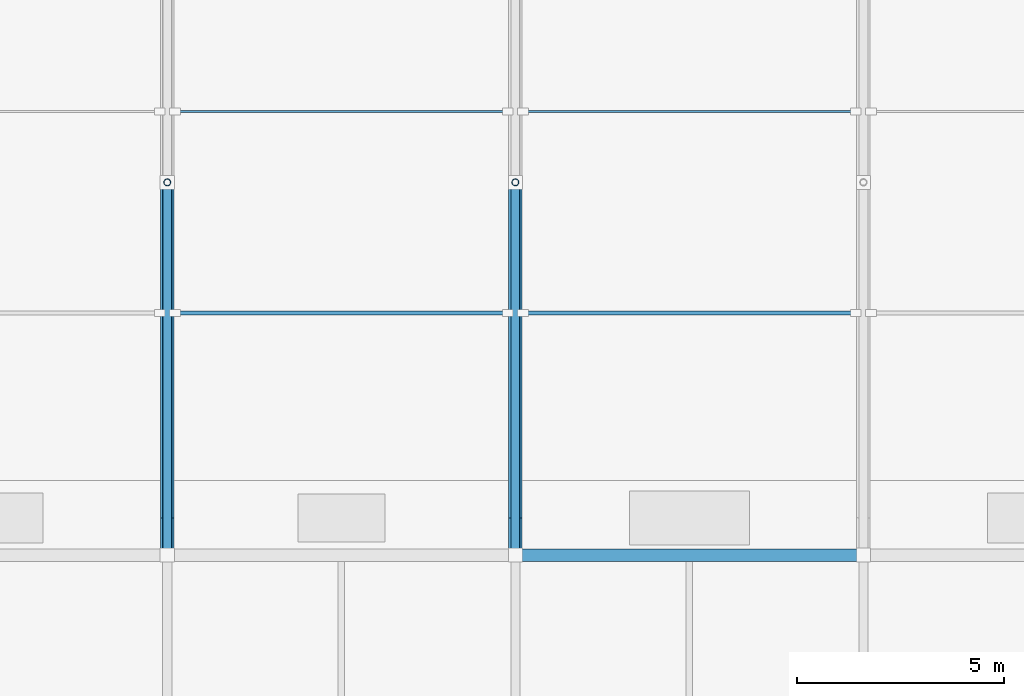
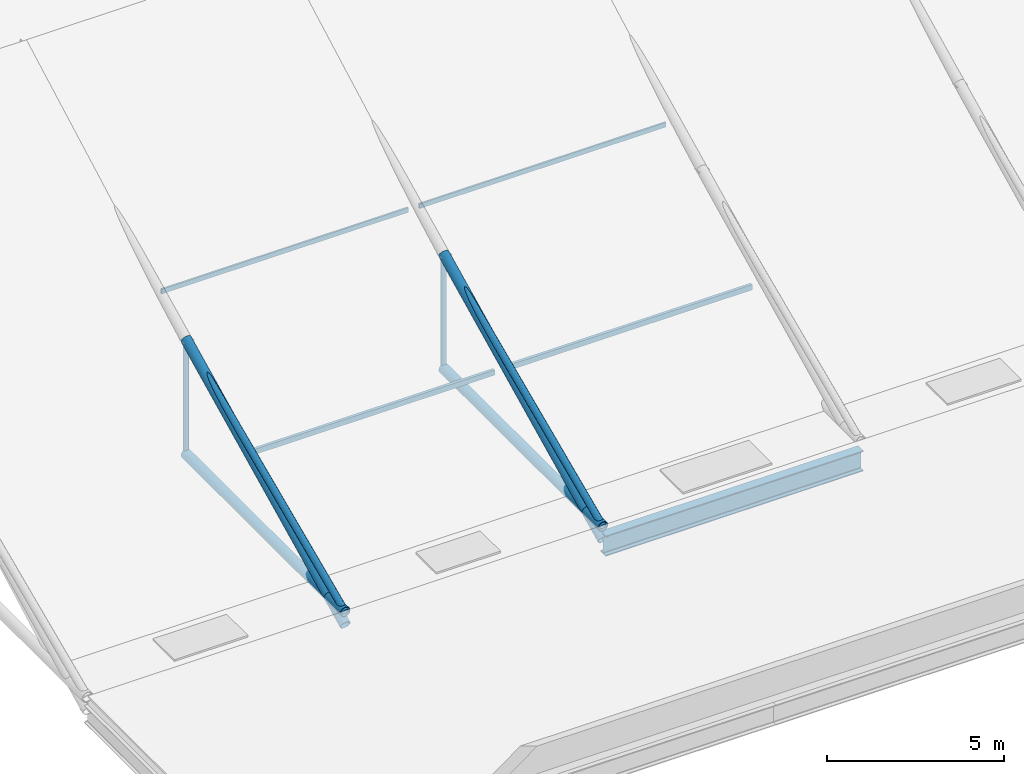
# One storey, part 4 of 38: 12 members, 1 beam.
"""IFC4 building model written with IfcOpenShell, lengths in metres."""

import ifcopenshell
import ifcopenshell.guid

model = None  # the IFC model being written
_history = None  # IfcOwnerHistory: only IFC2X3 demands one
_inside = {}  # id of a spatial element -> (the spatial element, [elements in it])
_under = {}  # id of a project, library or spatial element -> (it, [spatial elements below it])
_declared = {}  # id of a project -> (the project, [libraries it declares])
_typed = {}  # id of a type object -> (the type object, [elements of that type])
_made_of = {}  # id of a material, layer set ... -> (it, [elements and type objects made of it])


def new_model(schema):
    """Start an empty IFC model of exactly this schema.

    Asked for "IFC4X3", IfcOpenShell would pick the latest addendum, in which some entities
    have other attributes; the version numbers below select the first issue.
    IFC2X3 requires an IfcOwnerHistory on every rooted entity: one is made here for all.
    """
    global model, _history
    if schema == "IFC4X3":
        model = ifcopenshell.file(schema_version=(4, 3, 0, 0))
    else:
        model = ifcopenshell.file(schema=schema)
    _inside.clear()
    _under.clear()
    _declared.clear()
    _typed.clear()
    _made_of.clear()
    _history = None
    if model.schema == "IFC2X3":
        org = make("IfcOrganization", Name="unknown")
        user = make(
            "IfcPersonAndOrganization",
            ThePerson=make("IfcPerson", FamilyName="unknown"),
            TheOrganization=org,
        )
        app = make(
            "IfcApplication",
            ApplicationDeveloper=org,
            Version="unknown",
            ApplicationFullName="unknown",
            ApplicationIdentifier="unknown",
        )
        _history = make(
            "IfcOwnerHistory",
            OwningUser=user,
            OwningApplication=app,
            ChangeAction="ADDED",
            CreationDate=0,
        )
    return model


def make(cls, **values):
    """One entity of the class cls with the attributes given. An attribute that is None is left unset."""
    return model.create_entity(
        cls, **{name: value for name, value in values.items() if value is not None}
    )


def rooted(cls, **values):
    """An entity with a GlobalId (a new one), such as an element, a storey or a relation."""
    return make(cls, GlobalId=ifcopenshell.guid.new(), OwnerHistory=_history, **values)


def si_unit(unit_type, name, prefix=None):
    """IfcSIUnit, for example si_unit("LENGTHUNIT", "METRE", prefix="MILLI")."""
    return make("IfcSIUnit", UnitType=unit_type, Prefix=prefix, Name=name)


def assignment(units):
    """IfcUnitAssignment: the units of a project."""
    return None if units is None else make("IfcUnitAssignment", Units=units)


def point(xyz):
    """IfcCartesianPoint."""
    return None if xyz is None else make("IfcCartesianPoint", Coordinates=xyz)


def direction(xyz):
    """IfcDirection."""
    return None if xyz is None else make("IfcDirection", DirectionRatios=xyz)


def frame(location, z_axis=None, x_axis=None):
    """IfcAxis2Placement3D, a coordinate frame: its origin and axes. An axis left out is left unset."""
    return make(
        "IfcAxis2Placement3D",
        Location=point(location),
        Axis=direction(z_axis),
        RefDirection=direction(x_axis),
    )


def frame_2d(location, x_axis=None):
    """IfcAxis2Placement2D, a coordinate frame in the plane: its origin and x axis."""
    return make(
        "IfcAxis2Placement2D", Location=point(location), RefDirection=direction(x_axis)
    )


def origin():
    """The frame at (0, 0, 0) with its axes left unset."""
    return frame((0.0, 0.0, 0.0))


def origin_2d():
    """The frame at (0, 0) in the plane with its x axis left unset."""
    return frame_2d((0.0, 0.0))


def place(relative_to, where):
    """IfcLocalPlacement: puts the frame where relative to a parent placement (None: the world)."""
    return make(
        "IfcLocalPlacement", PlacementRelTo=relative_to, RelativePlacement=where
    )


def context(
    kind, dimensions, precision=None, world=None, true_north=None, identifier=None
):
    """IfcGeometricRepresentationContext, for example the 3D "Model" context."""
    return make(
        "IfcGeometricRepresentationContext",
        ContextIdentifier=identifier,
        ContextType=kind,
        CoordinateSpaceDimension=dimensions,
        Precision=precision,
        WorldCoordinateSystem=world,
        TrueNorth=true_north,
    )


def subcontext(parent, identifier, kind, view, scale=None):
    """IfcGeometricRepresentationSubContext, for example "Body" below "Model"."""
    return make(
        "IfcGeometricRepresentationSubContext",
        ContextIdentifier=identifier,
        ContextType=kind,
        ParentContext=parent,
        TargetScale=scale,
        TargetView=view,
    )


def project(units=None, contexts=None):
    """IfcProject with its units and contexts."""
    return rooted(
        "IfcProject",
        Name="project",
        RepresentationContexts=contexts,
        UnitsInContext=assignment(units),
    )


def spatial(cls, under=None, at=None, **own):
    """A site, building, storey or space (cls), placed at a placement, below another one or the project."""
    s = rooted(cls, ObjectPlacement=at, **own)
    if under is not None:
        _under.setdefault(under.id(), (under, []))[1].append(s)
    return s


def profile(cls, at=None, kind="AREA", **sizes):
    """A parametric profile (cls). Its sizes go by their IFC names, for example OverallWidth=200.0."""
    return make(cls, ProfileType=kind, Position=at, **sizes)


def hollow_rectangle(**sizes):
    """IfcRectangleHollowProfileDef."""
    return profile("IfcRectangleHollowProfileDef", **sizes)


def hollow_circle(**sizes):
    """IfcCircleHollowProfileDef."""
    return profile("IfcCircleHollowProfileDef", **sizes)


def i_section(**sizes):
    """IfcIShapeProfileDef."""
    return profile("IfcIShapeProfileDef", **sizes)


def extrude(swept, where, along, depth):
    """IfcExtrudedAreaSolid: the profile swept, set in the frame where, extruded along a direction by depth."""
    return make(
        "IfcExtrudedAreaSolid",
        SweptArea=swept,
        Position=where,
        ExtrudedDirection=direction(along),
        Depth=depth,
    )


def shape(context_of_items, identifier, shape_type, items):
    """IfcShapeRepresentation: the items that make up one representation, for example the "Body"."""
    return make(
        "IfcShapeRepresentation",
        ContextOfItems=context_of_items,
        RepresentationIdentifier=identifier,
        RepresentationType=shape_type,
        Items=items,
    )


def material(Name=None, Category=None):
    """IfcMaterial."""
    return make("IfcMaterial", Name=Name, Category=Category)


def material_profile(
    of_material, cross_section, Name=None, Category=None, Priority=None
):
    """IfcMaterialProfile: a cross section and its material."""
    return make(
        "IfcMaterialProfile",
        Name=Name,
        Material=of_material,
        Profile=cross_section,
        Priority=Priority,
        Category=Category,
    )


def profile_set(profiles, Name=None, composite=None):
    """IfcMaterialProfileSet."""
    return make(
        "IfcMaterialProfileSet",
        Name=Name,
        MaterialProfiles=profiles,
        CompositeProfile=composite,
    )


def made_of(thing, what):
    """Note that an element or type object is made of a material, layer set ...; save() writes the relation."""
    if what is not None:
        _made_of.setdefault(what.id(), (what, []))[1].append(thing)
    return thing


def type_object(cls, material=None, **own):
    """A type object (cls), such as IfcWallType, which elements share."""
    return made_of(rooted(cls, **own), material)


def element(
    cls,
    number,
    at=None,
    inside=None,
    cuts=None,
    type_object=None,
    material=None,
    context=None,
    identifier="Body",
    shape_type=None,
    held_by="IfcProductDefinitionShape",
    body=None,
    shapes=None,
    **own,
):
    """One element of the class cls, such as IfcWall. Its Tag is "e" and its number.

    at: its placement. inside: the storey or other place that contains it. cuts: it is an
    opening in that element (IfcRelVoidsElement). A single representation is given by context,
    identifier, shape_type and body (its items); several are given by shapes. held_by: the class
    of the entity that holds the representations. save() writes the other relations.
    """
    e = rooted(cls, Tag="e%d" % number, ObjectPlacement=at, **own)
    if body is not None:
        shapes = [shape(context, identifier, shape_type, body)]
    if shapes is not None:
        e.Representation = make(held_by, Representations=shapes)
    if inside is not None:
        _inside.setdefault(inside.id(), (inside, []))[1].append(e)
    if cuts is not None:
        rooted(
            "IfcRelVoidsElement", RelatingBuildingElement=cuts, RelatedOpeningElement=e
        )
    if type_object is not None:
        _typed.setdefault(type_object.id(), (type_object, []))[1].append(e)
    return made_of(e, material)


def aggregate(whole, parts):
    """IfcRelAggregates: a whole, such as a stair, and the parts it consists of."""
    return rooted("IfcRelAggregates", RelatingObject=whole, RelatedObjects=parts)


def save(model, path):
    """Write the relations noted so far, then the file.

    IfcRelAggregates (storeys below a building ...), IfcRelContainedInSpatialStructure (elements
    in a storey), IfcRelDefinesByType, IfcRelAssociatesMaterial and IfcRelDeclares: one each for
    every whole, place, type object, material and project.
    """
    for whole, parts in _under.values():
        aggregate(whole, parts)
    for where, things in _inside.values():
        rooted(
            "IfcRelContainedInSpatialStructure",
            RelatedElements=things,
            RelatingStructure=where,
        )
    for kind, things in _typed.values():
        rooted("IfcRelDefinesByType", RelatedObjects=things, RelatingType=kind)
    for what, things in _made_of.values():
        rooted("IfcRelAssociatesMaterial", RelatedObjects=things, RelatingMaterial=what)
    for by, libraries in _declared.values():
        rooted("IfcRelDeclares", RelatingContext=by, RelatedDefinitions=libraries)
    model.write(path)


model = new_model("IFC4")

# Units and contexts
model_context = context("Model", 3, precision=1e-05, world=origin(), true_north=direction((0.0, 1.0)))
body_context = subcontext(model_context, "Body", "Model", "MODEL_VIEW")
ifc_project = project(units=[si_unit("LENGTHUNIT", "METRE"), si_unit("AREAUNIT", "SQUARE_METRE"), si_unit("VOLUMEUNIT", "CUBIC_METRE"), si_unit("PLANEANGLEUNIT", "RADIAN"), si_unit("MASSUNIT", "GRAM", prefix="KILO")], contexts=[model_context])

# Site, building, storey
site_placement = place(None, origin())
site = spatial("IfcSite", under=ifc_project, at=site_placement, CompositionType="ELEMENT")
building_placement = place(site_placement, origin())
building = spatial("IfcBuilding", under=site, at=building_placement, Name="Veltarok Museum of Natural Sciences", CompositionType="ELEMENT")
storey_placement = place(building_placement, frame((0.0, 0.0, 31.199951171875)))
storey = spatial("IfcBuildingStorey", under=building, at=storey_placement, Name="RF", CompositionType="ELEMENT", Elevation=31.199951171875)

# Members
ifc_material_1 = material(Name="Steel S355J2", Category="steel")
ifc_material_profile_1 = material_profile(ifc_material_1, hollow_rectangle(XDim=0.10009765625, YDim=0.179931640625, WallThickness=0.008056640625, at=origin_2d()), Name="RHS 180x100x8")
ifc_profile_set_1 = profile_set([ifc_material_profile_1], Name="Steel S355J2")
member_type_1 = type_object("IfcMemberType", Name="Heavy Valley Roof Purlin RHS 180x100x8", PredefinedType="PURLIN", material=ifc_profile_set_1)
for number, where, z_axis, x_axis, name in (
    (1, (48.580078125, 41.85009765625, -3.950439453125), (1.0, 0.0, 0.0), (0.0, 1.0, 0.0), "Sawtooth Purlin 6-7 M1"),
    (2, (56.97998046875, 41.85009765625, -3.950439453125), (1.0, 0.0, 0.0), (0.0, 1.0, 0.0), "Sawtooth Purlin 7-8 M1"),
):
    element("IfcMember", number, at=place(storey_placement, frame(where, z_axis=z_axis, x_axis=x_axis)), inside=storey, type_object=member_type_1, Name=name, PredefinedType="PURLIN", context=body_context, shape_type="SweptSolid", body=[
        extrude(hollow_rectangle(XDim=0.10009765625, YDim=0.179931640625, WallThickness=0.008056640625, at=origin_2d()), origin(), (0.0, 0.0, 1.0), 8.0400390625),
    ])

# Beam
ifc_material_profile_2 = material_profile(ifc_material_1, i_section(OverallWidth=0.300048828125, OverallDepth=0.699951171875, WebThickness=0.01708984375, FlangeThickness=0.031982421875, FilletRadius=0.027099609375, at=origin_2d()), Name="HEB 700")
ifc_profile_set_2 = profile_set([ifc_material_profile_2], Name="Steel S355J2")
beam_type = type_object("IfcBeamType", Name="Long-Span Hall Girder HEB 700", PredefinedType="BEAM", material=ifc_profile_set_2)
beam_placement = place(storey_placement, frame((56.800048828125, 36.0, -6.389892578125), z_axis=(1.0, 0.0, 0.0), x_axis=(0.0, 1.0, 0.0)))
element("IfcBeam", 3, at=beam_placement, inside=storey, type_object=beam_type, Name="Sawtooth Valley Girder 7-8 Y=36.0", PredefinedType="BEAM", context=body_context, shape_type="SweptSolid", body=[
    extrude(i_section(OverallWidth=0.300048828125, OverallDepth=0.699951171875, WebThickness=0.01708984375, FlangeThickness=0.031982421875, FilletRadius=0.027099609375, at=origin_2d()), origin(), (0.0, 0.0, 1.0), 8.39990234375),
])

# Members
ifc_material_profile_3 = material_profile(ifc_material_1, hollow_rectangle(XDim=0.06005859375, YDim=0.159912109375, WallThickness=0.0048828125, at=origin_2d()), Name="RHS 160x60x5")
ifc_profile_set_3 = profile_set([ifc_material_profile_3], Name="Steel S355J2")
member_type_2 = type_object("IfcMemberType", Name="Sawtooth Roof Purlin RHS 160x60x5", PredefinedType="PURLIN", material=ifc_profile_set_3)
for number, where, z_axis, x_axis, name in (
    (4, (48.580078125, 46.7099609375, -1.310302734375), (1.0, 0.0, 0.0), (0.0, 1.0, 0.0), "Sawtooth Purlin 6-7 M1"),
    (5, (56.97998046875, 46.7099609375, -1.310302734375), (1.0, 0.0, 0.0), (0.0, 1.0, 0.0), "Sawtooth Purlin 7-8 M1"),
):
    element("IfcMember", number, at=place(storey_placement, frame(where, z_axis=z_axis, x_axis=x_axis)), inside=storey, type_object=member_type_2, Name=name, PredefinedType="PURLIN", context=body_context, shape_type="SweptSolid", body=[
        extrude(hollow_rectangle(XDim=0.06005859375, YDim=0.159912109375, WallThickness=0.0048828125, at=origin_2d()), origin(), (0.0, 0.0, 1.0), 8.0400390625),
    ])
ifc_material_2 = material(Name="Oxide-red painted Steel S355J2", Category="steel")
ifc_material_profile_4 = material_profile(ifc_material_2, hollow_circle(Radius=0.161865234375, WallThickness=0.01611328125, at=origin_2d()), Name="CHS 323.9x16")
ifc_profile_set_4 = profile_set([ifc_material_profile_4], Name="Oxide-red painted Steel S355J2")
member_type_3 = type_object("IfcMemberType", Name="Sawtooth Truss Chord CHS 323.9x16", PredefinedType="CHORD", material=ifc_profile_set_4)
member_1_placement = place(storey_placement, frame((48.39990234375, 36.0, -5.800048828125), z_axis=(0.0, 1.0, 0.0), x_axis=(-1.0, 0.0, 0.0)))
element("IfcMember", 6, at=member_1_placement, inside=storey, type_object=member_type_3, Name="Roof Truss Bottom Chord 6 M1", PredefinedType="CHORD", context=body_context, shape_type="SweptSolid", body=[
    extrude(hollow_circle(Radius=0.161865234375, WallThickness=0.01611328125, at=origin_2d()), origin(), (0.0, 0.0, 1.0), 9.0),
])
member_2_placement = place(storey_placement, frame((48.39990234375, 36.0, -6.25), z_axis=(0.0, 0.898378591281, 0.43922193334), x_axis=(-1.0, 0.0, 0.0)))
element("IfcMember", 7, at=member_2_placement, inside=storey, type_object=member_type_3, Name="Roof Truss Top Chord 6 M1", PredefinedType="CHORD", context=body_context, shape_type="SweptSolid", body=[
    extrude(hollow_circle(Radius=0.161865234375, WallThickness=0.01611328125, at=origin_2d()), origin(), (0.0, 0.0, 1.0), 10.01806640625),
])
member_3_placement = place(storey_placement, frame((56.800048828125, 36.0, -5.800048828125), z_axis=(0.0, 1.0, 0.0), x_axis=(-1.0, 0.0, 0.0)))
element("IfcMember", 8, at=member_3_placement, inside=storey, type_object=member_type_3, Name="Roof Truss Bottom Chord 7 M1", PredefinedType="CHORD", context=body_context, shape_type="SweptSolid", body=[
    extrude(hollow_circle(Radius=0.161865234375, WallThickness=0.01611328125, at=origin_2d()), origin(), (0.0, 0.0, 1.0), 9.0),
])
member_4_placement = place(storey_placement, frame((56.800048828125, 36.0, -6.25), z_axis=(0.0, 0.898378591281, 0.43922193334), x_axis=(-1.0, 0.0, 0.0)))
element("IfcMember", 9, at=member_4_placement, inside=storey, type_object=member_type_3, Name="Roof Truss Top Chord 7 M1", PredefinedType="CHORD", context=body_context, shape_type="SweptSolid", body=[
    extrude(hollow_circle(Radius=0.161865234375, WallThickness=0.01611328125, at=origin_2d()), origin(), (0.0, 0.0, 1.0), 10.01806640625),
])
ifc_material_profile_5 = material_profile(ifc_material_2, hollow_circle(Radius=0.084228515625, WallThickness=0.008056640625, at=origin_2d()), Name="CHS 168.3x8")
ifc_profile_set_5 = profile_set([ifc_material_profile_5], Name="Oxide-red painted Steel S355J2")
member_type_4 = type_object("IfcMemberType", Name="Sawtooth Truss Vertical Strut CHS 168.3x8", PredefinedType="STRUT", material=ifc_profile_set_5)
for number, where, z_axis, x_axis, name in (
    (10, (48.39990234375, 45.0, -5.800048828125), (0.0, 0.0, 1.0), (1.0, 0.0, 0.0), "Roof Truss Strut 6 M1"),
    (11, (56.800048828125, 45.0, -5.800048828125), (0.0, 0.0, 1.0), (1.0, 0.0, 0.0), "Roof Truss Strut 7 M1"),
):
    element("IfcMember", number, at=place(storey_placement, frame(where, z_axis=z_axis, x_axis=x_axis)), inside=storey, type_object=member_type_4, Name=name, PredefinedType="STRUT", context=body_context, shape_type="SweptSolid", body=[
        extrude(hollow_circle(Radius=0.084228515625, WallThickness=0.008056640625, at=origin_2d()), origin(), (0.0, 0.0, 1.0), 3.9501953125),
    ])
ifc_material_profile_6 = material_profile(ifc_material_2, hollow_circle(Radius=0.109619140625, WallThickness=0.010009765625, at=origin_2d()), Name="CHS 219.1x10")
ifc_profile_set_6 = profile_set([ifc_material_profile_6], Name="Oxide-red painted Steel S355J2")
member_type_5 = type_object("IfcMemberType", Name="Sawtooth Truss Web Diagonal CHS 219.1x10", PredefinedType="BRACE", material=ifc_profile_set_6)
for number, where, z_axis, x_axis, name in (
    (12, (48.39990234375, 36.0, -5.800048828125), (0.0, 0.915682381641, 0.401902694633), (-1.0, 0.0, 0.0), "Roof Truss Diagonal 6 M1"),
    (13, (56.800048828125, 36.0, -5.800048828125), (0.0, 0.915682381641, 0.401902694633), (-1.0, 0.0, 0.0), "Roof Truss Diagonal 7 M1"),
):
    element("IfcMember", number, at=place(storey_placement, frame(where, z_axis=z_axis, x_axis=x_axis)), inside=storey, type_object=member_type_5, Name=name, PredefinedType="BRACE", context=body_context, shape_type="SweptSolid", body=[
        extrude(hollow_circle(Radius=0.109619140625, WallThickness=0.010009765625, at=origin_2d()), origin(), (0.0, 0.0, 1.0), 9.828857421875),
    ])

save(model, "model.ifc")
